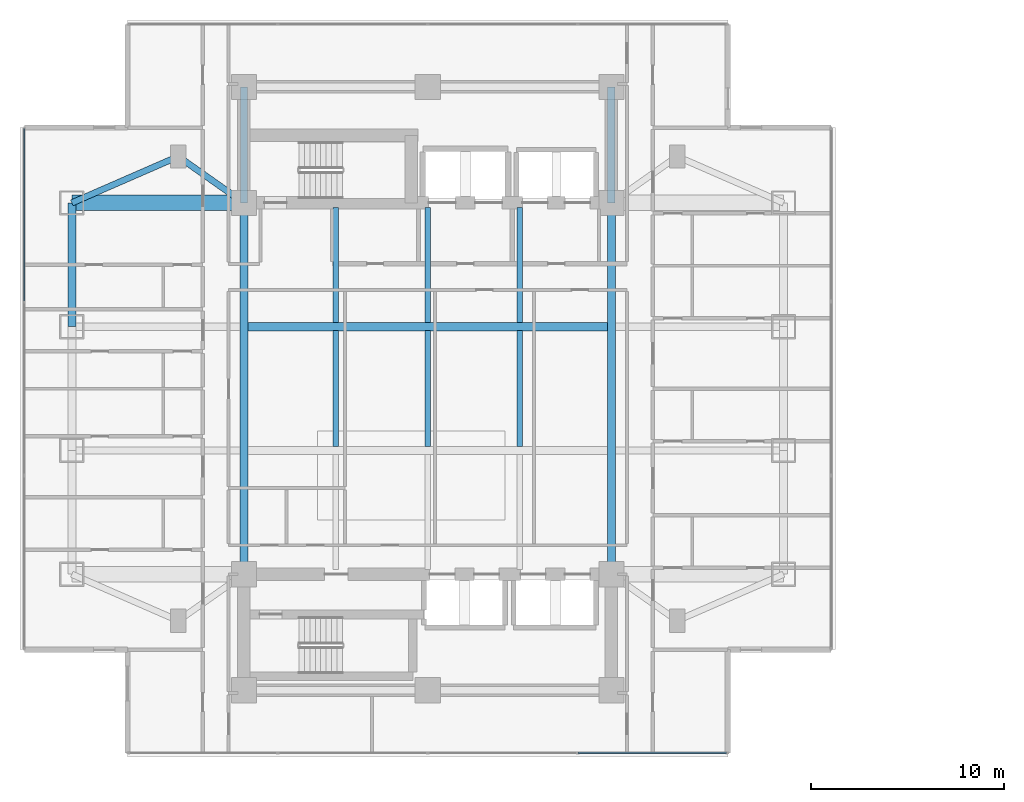
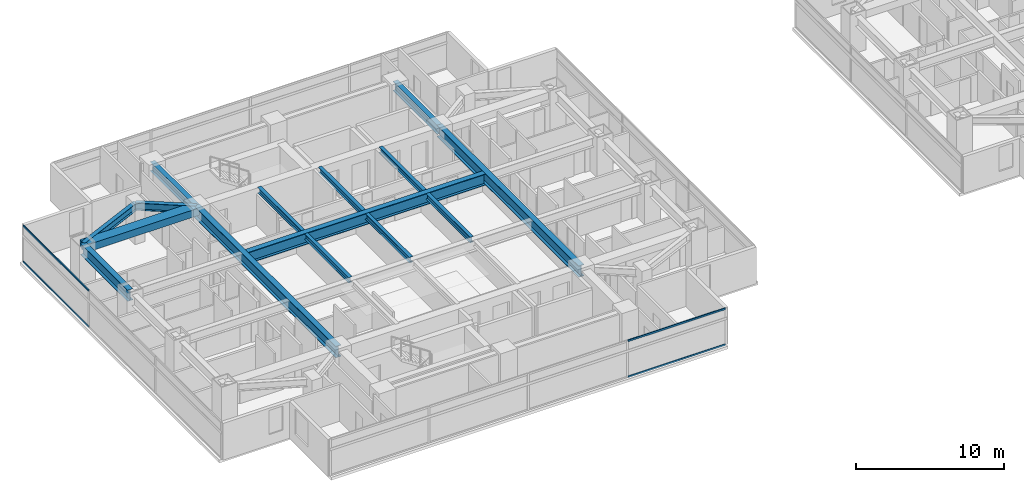
# One storey, part 3 of 27: 15 beams, 4 members, 2 elements without a shape of their own.
"""IFC4 building model written with IfcOpenShell, lengths in metres."""

from ifc_helpers import new_model, si_unit, direction, frame, origin, origin_2d, place, context, subcontext, project, spatial, rectangle, i_section, extrude, material, material_profile, profile_set, type_object, element, aggregate, save


model = new_model("IFC4")

# Units and contexts
model_context = context("Model", 3, precision=1e-05, world=origin(), true_north=direction((0.0, 1.0)))
body_context = subcontext(model_context, "Body", "Model", "MODEL_VIEW")
ifc_project = project(units=[si_unit("LENGTHUNIT", "METRE"), si_unit("AREAUNIT", "SQUARE_METRE"), si_unit("VOLUMEUNIT", "CUBIC_METRE"), si_unit("PLANEANGLEUNIT", "RADIAN"), si_unit("MASSUNIT", "GRAM", prefix="KILO")], contexts=[model_context])

# Site, building, storey
site_placement = place(None, origin())
site = spatial("IfcSite", under=ifc_project, at=site_placement, CompositionType="ELEMENT")
building_placement = place(site_placement, origin())
building = spatial("IfcBuilding", under=site, at=building_placement, Name="Mirazonda Arch Towers", CompositionType="ELEMENT")
storey_placement = place(building_placement, frame((0.0, 0.0, 55.39990234375)))
storey = spatial("IfcBuildingStorey", under=building, at=storey_placement, Name="L15", CompositionType="ELEMENT", Elevation=55.39990234375)

# Beams
ifc_material_1 = material(Name="Steel ASTM A992 Grade 50", Category="steel")
ifc_material_profile_1 = material_profile(ifc_material_1, i_section(OverallWidth=0.41796875, OverallDepth=0.927001953125, WebThickness=0.019287109375, FlangeThickness=0.031982421875, at=origin_2d()), Name="W36X231")
ifc_profile_set_1 = profile_set([ifc_material_profile_1], Name="Steel ASTM A992 Grade 50")
beam_type_1 = type_object("IfcBeamType", Name="BM-EXT-W36X231", PredefinedType="USERDEFINED", material=ifc_profile_set_1)
beam_1_placement = place(storey_placement, frame((2.10009765625, 31.199951171875, 2.5966796875), z_axis=(0.0, 1.0, 0.0), x_axis=(-1.0, 0.0, 0.0)))
element("IfcBeam", 1, at=beam_1_placement, inside=storey, type_object=beam_type_1, Name="L15 Floor Beam BM-T1-L15-NS-W-31", ObjectType="GIRDER", PredefinedType="USERDEFINED", context=body_context, shape_type="SweptSolid", body=[
    extrude(i_section(OverallWidth=0.41796875, OverallDepth=0.927001953125, WebThickness=0.019287109375, FlangeThickness=0.031982421875, at=origin_2d()), origin(), (0.0, 0.0, 1.0), 6.400146484375),
])
ifc_material_profile_2 = material_profile(ifc_material_1, i_section(OverallWidth=0.280029296875, OverallDepth=0.462890625, WebThickness=0.0107421875, FlangeThickness=0.017333984375, at=origin_2d()), Name="W18X76")
ifc_profile_set_2 = profile_set([ifc_material_profile_2], Name="Steel ASTM A992 Grade 50")
beam_type_2 = type_object("IfcBeamType", Name="BM-INT-W18X76", PredefinedType="JOIST", material=ifc_profile_set_2)
beam_2_placement = place(storey_placement, frame((15.75, 31.407470703125, 2.82861328125), z_axis=(0.0, 1.0, 0.0), x_axis=(-1.0, 0.0, 0.0)))
element("IfcBeam", 2, at=beam_2_placement, inside=storey, type_object=beam_type_2, Name="L15 Floor Beam BM-T1-L15-J-157-31", PredefinedType="JOIST", context=body_context, shape_type="SweptSolid", body=[
    extrude(i_section(OverallWidth=0.280029296875, OverallDepth=0.462890625, WebThickness=0.0107421875, FlangeThickness=0.017333984375, at=origin_2d()), origin(), (0.0, 0.0, 1.0), 5.95263671875),
])
beam_3_placement = place(storey_placement, frame((15.75, 25.007568359375, 2.82861328125), z_axis=(0.0, 1.0, 0.0), x_axis=(-1.0, 0.0, 0.0)))
element("IfcBeam", 3, at=beam_3_placement, inside=storey, type_object=beam_type_2, Name="L15 Floor Beam BM-T1-L15-J-157-24", PredefinedType="JOIST", context=body_context, shape_type="SweptSolid", body=[
    extrude(i_section(OverallWidth=0.280029296875, OverallDepth=0.462890625, WebThickness=0.0107421875, FlangeThickness=0.017333984375, at=origin_2d()), origin(), (0.0, 0.0, 1.0), 5.98486328125),
])
beam_4_placement = place(storey_placement, frame((20.5, 31.407470703125, 2.82861328125), z_axis=(0.0, 1.0, 0.0), x_axis=(-1.0, 0.0, 0.0)))
element("IfcBeam", 4, at=beam_4_placement, inside=storey, type_object=beam_type_2, Name="L15 Floor Beam BM-T1-L15-J-205-31", PredefinedType="JOIST", context=body_context, shape_type="SweptSolid", body=[
    extrude(i_section(OverallWidth=0.280029296875, OverallDepth=0.462890625, WebThickness=0.0107421875, FlangeThickness=0.017333984375, at=origin_2d()), origin(), (0.0, 0.0, 1.0), 5.95263671875),
])
beam_5_placement = place(storey_placement, frame((20.5, 25.007568359375, 2.82861328125), z_axis=(0.0, 1.0, 0.0), x_axis=(-1.0, 0.0, 0.0)))
element("IfcBeam", 5, at=beam_5_placement, inside=storey, type_object=beam_type_2, Name="L15 Floor Beam BM-T1-L15-J-205-24", PredefinedType="JOIST", context=body_context, shape_type="SweptSolid", body=[
    extrude(i_section(OverallWidth=0.280029296875, OverallDepth=0.462890625, WebThickness=0.0107421875, FlangeThickness=0.017333984375, at=origin_2d()), origin(), (0.0, 0.0, 1.0), 5.98486328125),
])
beam_6_placement = place(storey_placement, frame((25.25, 31.407470703125, 2.82861328125), z_axis=(0.0, 1.0, 0.0), x_axis=(-1.0, 0.0, 0.0)))
element("IfcBeam", 6, at=beam_6_placement, inside=storey, type_object=beam_type_2, Name="L15 Floor Beam BM-T1-L15-J-252-31", PredefinedType="JOIST", context=body_context, shape_type="SweptSolid", body=[
    extrude(i_section(OverallWidth=0.280029296875, OverallDepth=0.462890625, WebThickness=0.0107421875, FlangeThickness=0.017333984375, at=origin_2d()), origin(), (0.0, 0.0, 1.0), 5.95263671875),
])
beam_7_placement = place(storey_placement, frame((25.25, 25.007568359375, 2.82861328125), z_axis=(0.0, 1.0, 0.0), x_axis=(-1.0, 0.0, 0.0)))
element("IfcBeam", 7, at=beam_7_placement, inside=storey, type_object=beam_type_2, Name="L15 Floor Beam BM-T1-L15-J-252-24", PredefinedType="JOIST", context=body_context, shape_type="SweptSolid", body=[
    extrude(i_section(OverallWidth=0.280029296875, OverallDepth=0.462890625, WebThickness=0.0107421875, FlangeThickness=0.017333984375, at=origin_2d()), origin(), (0.0, 0.0, 1.0), 5.98486328125),
])
ifc_material_profile_3 = material_profile(ifc_material_1, i_section(OverallWidth=0.324951171875, OverallDepth=0.615966796875, WebThickness=0.013916015625, FlangeThickness=0.021484375, at=origin_2d()), Name="W24X117")
ifc_profile_set_3 = profile_set([ifc_material_profile_3], Name="Steel ASTM A992 Grade 50")
beam_type_3 = type_object("IfcBeamType", Name="BM-INT-W24X117", PredefinedType="BEAM", material=ifc_profile_set_3)
beam_8_placement = place(storey_placement, frame((7.60009765625, 40.0, 2.752197265625), z_axis=(0.816971114901, -0.576678591087, 0.0), x_axis=(0.576678591087, 0.816971114901, 0.0)))
element("IfcBeam", 8, at=beam_8_placement, inside=storey, type_object=beam_type_3, Name="L15 Floor Beam BM-T1-L15-PL-NW1", PredefinedType="BEAM", context=body_context, shape_type="SweptSolid", body=[
    extrude(i_section(OverallWidth=0.324951171875, OverallDepth=0.615966796875, WebThickness=0.013916015625, FlangeThickness=0.021484375, at=origin_2d()), origin(), (0.0, 0.0, 1.0), 4.16162109375),
])
beam_9_placement = place(storey_placement, frame((7.60009765625, 40.0, 2.752197265625), z_axis=(-0.916545343703, -0.399930785183, 0.0), x_axis=(0.399930785183, -0.916545343703, 0.0)))
element("IfcBeam", 9, at=beam_9_placement, inside=storey, type_object=beam_type_3, Name="L15 Floor Beam BM-T1-L15-PL-NW2", PredefinedType="BEAM", context=body_context, shape_type="SweptSolid", body=[
    extrude(i_section(OverallWidth=0.324951171875, OverallDepth=0.615966796875, WebThickness=0.013916015625, FlangeThickness=0.021484375, at=origin_2d()), origin(), (0.0, 0.0, 1.0), 6.000732421875),
])
ifc_material_profile_4 = material_profile(ifc_material_1, i_section(OverallWidth=0.381103515625, OverallDepth=0.77294921875, WebThickness=0.0166015625, FlangeThickness=0.027099609375, at=origin_2d()), Name="W30X173")
ifc_profile_set_4 = profile_set([ifc_material_profile_4], Name="Steel ASTM A992 Grade 50")
beam_type_4 = type_object("IfcBeamType", Name="BM-INT-W30X173", PredefinedType="USERDEFINED", material=ifc_profile_set_4)
for number, where, z_axis, x_axis, name in (
    (10, (11.0, 37.60009765625, 2.673583984375), (0.0, 1.0, 0.0), (-1.0, 0.0, 0.0), "L15 Floor Beam BM-T1-L15-CNW"),
    (11, (30.0, 37.60009765625, 2.673583984375), (0.0, 1.0, 0.0), (-1.0, 0.0, 0.0), "L15 Floor Beam BM-T1-L15-CNE"),
):
    element("IfcBeam", number, at=place(storey_placement, frame(where, z_axis=z_axis, x_axis=x_axis)), inside=storey, type_object=beam_type_4, Name=name, ObjectType="GIRDER", PredefinedType="USERDEFINED", context=body_context, shape_type="SweptSolid", body=[
        extrude(i_section(OverallWidth=0.381103515625, OverallDepth=0.77294921875, WebThickness=0.0166015625, FlangeThickness=0.027099609375, at=origin_2d()), origin(), (0.0, 0.0, 1.0), 6.0),
    ])
ifc_material_profile_5 = material_profile(ifc_material_1, i_section(OverallWidth=0.423095703125, OverallDepth=0.947998046875, WebThickness=0.02392578125, FlangeThickness=0.042724609375, at=origin_2d()), Name="W36X302")
ifc_profile_set_5 = profile_set([ifc_material_profile_5], Name="Steel ASTM A992 Grade 50")
beam_type_5 = type_object("IfcBeamType", Name="BM-INT-W36X302", PredefinedType="USERDEFINED", material=ifc_profile_set_5)
beam_10_placement = place(storey_placement, frame((11.21142578125, 31.199951171875, 2.586181640625), z_axis=(1.0, 0.0, 0.0), x_axis=(0.0, 1.0, 0.0)))
element("IfcBeam", 12, at=beam_10_placement, inside=storey, type_object=beam_type_5, Name="L15 Floor Beam BM-T1-L15-GC3", ObjectType="GIRDER", PredefinedType="USERDEFINED", context=body_context, shape_type="SweptSolid", body=[
    extrude(i_section(OverallWidth=0.423095703125, OverallDepth=0.947998046875, WebThickness=0.02392578125, FlangeThickness=0.042724609375, at=origin_2d()), origin(), (0.0, 0.0, 1.0), 18.5771484375),
])
for number, where, z_axis, x_axis, name in (
    (13, (11.0, 18.39990234375, 2.586181640625), (0.0, 1.0, 0.0), (-1.0, 0.0, 0.0), "L15 Floor Beam BM-T1-L15-NS-CW-FULL"),
    (14, (30.0, 18.39990234375, 2.586181640625), (0.0, 1.0, 0.0), (-1.0, 0.0, 0.0), "L15 Floor Beam BM-T1-L15-NS-CE-FULL"),
):
    element("IfcBeam", number, at=place(storey_placement, frame(where, z_axis=z_axis, x_axis=x_axis)), inside=storey, type_object=beam_type_5, Name=name, ObjectType="GIRDER", PredefinedType="USERDEFINED", context=body_context, shape_type="SweptSolid", body=[
        extrude(i_section(OverallWidth=0.423095703125, OverallDepth=0.947998046875, WebThickness=0.02392578125, FlangeThickness=0.042724609375, at=origin_2d()), origin(), (0.0, 0.0, 1.0), 19.2001953125),
    ])
ifc_material_2 = material(Name="Concrete C60/75", Category="concrete")
ifc_material_profile_6 = material_profile(ifc_material_2, rectangle(XDim=0.800048828125, YDim=0.60009765625, at=origin_2d()), Name="RCCB800x600")
ifc_profile_set_6 = profile_set([ifc_material_profile_6], Name="Concrete C60/75")
beam_type_6 = type_object("IfcBeamType", Name="CB-INT-RCCB800x600", PredefinedType="SPANDREL", material=ifc_profile_set_6)
beam_11_placement = place(storey_placement, frame((2.10009765625, 37.60009765625, 2.760009765625), z_axis=(1.0, 0.0, 0.0), x_axis=(0.0, 1.0, 0.0)))
element("IfcBeam", 15, at=beam_11_placement, inside=storey, type_object=beam_type_6, Name="L15 Floor Beam CBC-T1-L15-NW", PredefinedType="SPANDREL", context=body_context, shape_type="SweptSolid", body=[
    extrude(rectangle(XDim=0.800048828125, YDim=0.60009765625, at=origin_2d()), origin(), (0.0, 0.0, 1.0), 8.89990234375),
])

# Curtain wall, members
ifc_material_3 = material(Name="Anodised Aluminium and Low-E Glass", Category="aluminium")
curtain_wall_type = type_object("IfcCurtainWallType", Name="CW-HTL-UNIT", PredefinedType="NOTDEFINED", material=ifc_material_3)
curtain_wall_1_placement = place(storey_placement, origin())
curtain_wall_1 = element("IfcCurtainWall", 16, at=curtain_wall_1_placement, inside=storey, type_object=curtain_wall_type, Name="L15 T1 S Facade CW-L15-T1-S", PredefinedType="NOTDEFINED")
ifc_material_4 = material(Name="Anodised Aluminium Alloy", Category="aluminium")
ifc_material_profile_7 = material_profile(ifc_material_4, rectangle(XDim=0.074951171875, YDim=0.14501953125, at=origin_2d()), Name="ALU-TRAN-75x145")
ifc_profile_set_7 = profile_set([ifc_material_profile_7], Name="Anodised Aluminium Alloy")
member_type = type_object("IfcMemberType", Name="TRAN-CW-HTL-UNIT", PredefinedType="USERDEFINED", material=ifc_profile_set_7)
member_1_placement = place(storey_placement, frame((35.945068359375, 9.162109375, 0.03759765625), z_axis=(-1.0, 0.0, 0.0), x_axis=(0.0, -1.0, 0.0)))
member_1 = element("IfcMember", 17, at=member_1_placement, type_object=member_type, Name="CW-112 transom 1.1", ObjectType="TRANSOM", PredefinedType="USERDEFINED", context=body_context, shape_type="SweptSolid", body=[
    extrude(rectangle(XDim=0.074951171875, YDim=0.14501953125, at=origin_2d()), origin(), (0.0, 0.0, 1.0), 7.6474609375),
])
member_2_placement = place(storey_placement, frame((35.945068359375, 9.162109375, 3.002685546875), z_axis=(-1.0, 0.0, 0.0), x_axis=(0.0, -1.0, 0.0)))
member_2 = element("IfcMember", 18, at=member_2_placement, type_object=member_type, Name="CW-112 transom 1.2", ObjectType="TRANSOM", PredefinedType="USERDEFINED", context=body_context, shape_type="SweptSolid", body=[
    extrude(rectangle(XDim=0.074951171875, YDim=0.14501953125, at=origin_2d()), origin(), (0.0, 0.0, 1.0), 7.6474609375),
])
aggregate(curtain_wall_1, [member_1, member_2])

curtain_wall_2_placement = place(storey_placement, origin())
curtain_wall_2 = element("IfcCurtainWall", 19, at=curtain_wall_2_placement, inside=storey, type_object=curtain_wall_type, Name="L15 T1 W Facade CW-L15-T1-W", PredefinedType="NOTDEFINED")
member_3_placement = place(storey_placement, frame((-0.360107421875, 41.423095703125, 0.03759765625), z_axis=(0.0, -1.0, 0.0), x_axis=(1.0, 0.0, 0.0)))
member_3 = element("IfcMember", 20, at=member_3_placement, type_object=member_type, Name="CW-112 transom 1.1", ObjectType="TRANSOM", PredefinedType="USERDEFINED", context=body_context, shape_type="SweptSolid", body=[
    extrude(rectangle(XDim=0.074951171875, YDim=0.14501953125, at=origin_2d()), origin(), (0.0, 0.0, 1.0), 8.88623046875),
])
member_4_placement = place(storey_placement, frame((-0.360107421875, 41.423095703125, 3.002685546875), z_axis=(0.0, -1.0, 0.0), x_axis=(1.0, 0.0, 0.0)))
member_4 = element("IfcMember", 21, at=member_4_placement, type_object=member_type, Name="CW-112 transom 1.2", ObjectType="TRANSOM", PredefinedType="USERDEFINED", context=body_context, shape_type="SweptSolid", body=[
    extrude(rectangle(XDim=0.074951171875, YDim=0.14501953125, at=origin_2d()), origin(), (0.0, 0.0, 1.0), 8.88623046875),
])
aggregate(curtain_wall_2, [member_3, member_4])

save(model, "model.ifc")
